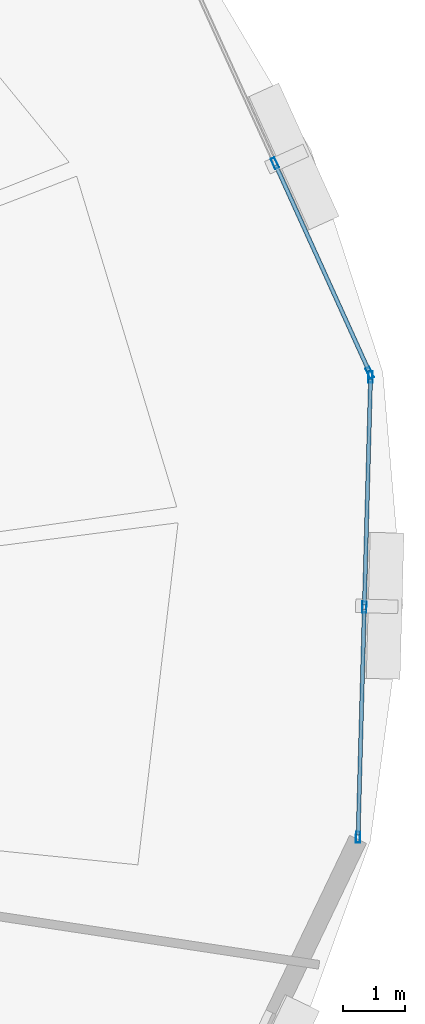
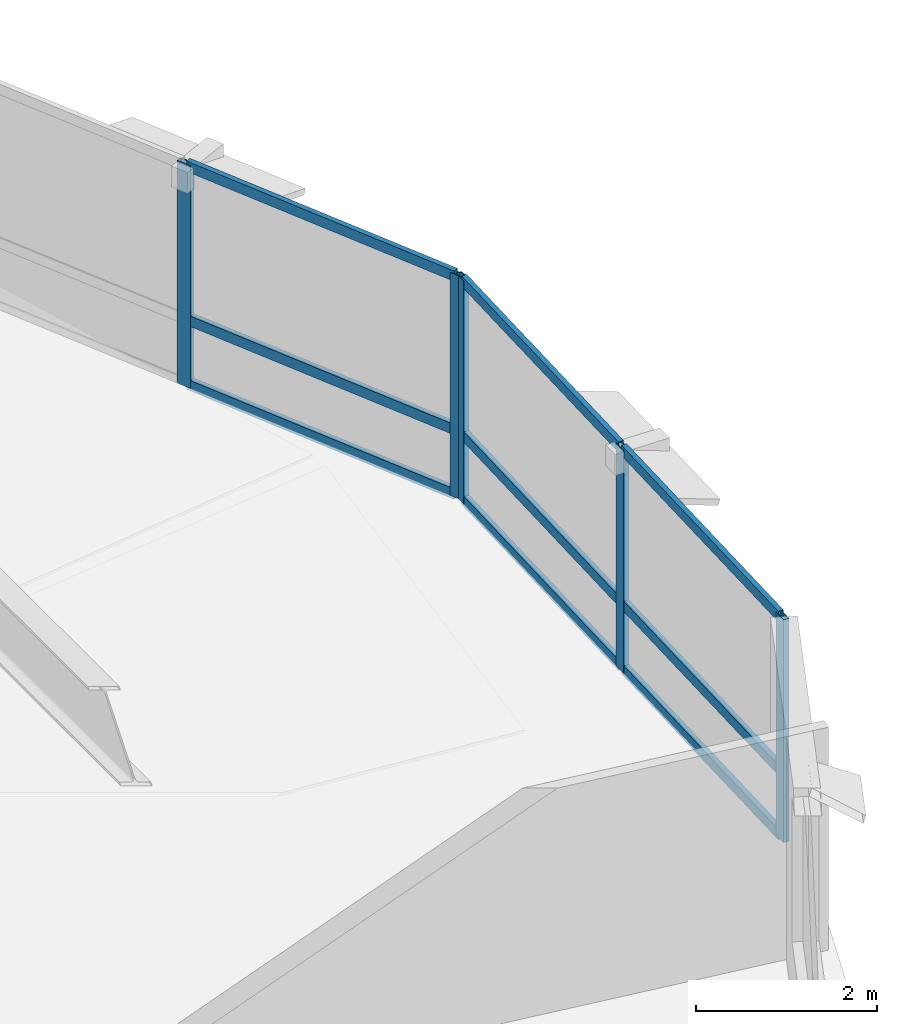
# One storey, part 8 of 17: 14 members, 2 elements without a shape of their own.
"""IFC4 building model written with IfcOpenShell, lengths in metres."""

from ifc_helpers import new_model, si_unit, direction, frame, origin, origin_2d, place, context, subcontext, project, spatial, hollow_rectangle, extrude, material, layer, layer_set, material_profile, profile_set, type_object, element, aggregate, save


model = new_model("IFC4")

# Units and contexts
model_context = context("Model", 3, precision=1e-05, world=origin(), true_north=direction((0.0, 1.0)))
body_context = subcontext(model_context, "Body", "Model", "MODEL_VIEW")
ifc_project = project(units=[si_unit("LENGTHUNIT", "METRE"), si_unit("AREAUNIT", "SQUARE_METRE"), si_unit("VOLUMEUNIT", "CUBIC_METRE"), si_unit("PLANEANGLEUNIT", "RADIAN"), si_unit("MASSUNIT", "GRAM", prefix="KILO"), si_unit("THERMODYNAMICTEMPERATUREUNIT", "KELVIN"), si_unit("POWERUNIT", "WATT")], contexts=[model_context])

# Site, building, storey
site_placement = place(None, origin())
site = spatial("IfcSite", under=ifc_project, at=site_placement, CompositionType="ELEMENT")
building_placement = place(site_placement, origin())
building = spatial("IfcBuilding", under=site, at=building_placement, Name="Ocrelia Relay Tower", CompositionType="ELEMENT")
storey_placement = place(building_placement, frame((0.0, 0.0, 80.39990234375)))
storey = spatial("IfcBuildingStorey", under=building, at=storey_placement, Name="L18", CompositionType="ELEMENT", Elevation=80.39990234375)

# Curtain wall, members
ifc_material_1 = material(Name="Aluminium and solar-control low-E glass", Category="aluminium")
ifc_layer = layer(ifc_material_1, 0.179931640625, Name="Aluminium and solar-control low-E glass")
ifc_layer_set = layer_set([ifc_layer], Name="Aluminium and solar-control low-E glass")
curtain_wall_type = type_object("IfcCurtainWallType", Name="CW-SYS-Z1-DATA", PredefinedType="NOTDEFINED", material=ifc_layer_set)
curtain_wall_1_placement = place(storey_placement, origin())
curtain_wall_1 = element("IfcCurtainWall", 1, at=curtain_wall_1_placement, inside=storey, type_object=curtain_wall_type, Name="L18 Elliptical Tower Curtain Wall Bay 01", PredefinedType="NOTDEFINED")
ifc_material_2 = material(Name="Anodised bronze aluminium", Category="aluminium")
ifc_material_profile_1 = material_profile(ifc_material_2, hollow_rectangle(XDim=0.070068359375, YDim=0.179931640625, WallThickness=0.006103515625, at=origin_2d()), Name="CW-MUL-180x70")
ifc_profile_set_1 = profile_set([ifc_material_profile_1], Name="Anodised bronze aluminium")
member_type_1 = type_object("IfcMemberType", Name="CW-SYS-Z1-DATA-MUL", PredefinedType="MULLION", material=ifc_profile_set_1)
member_1_placement = place(storey_placement, frame((61.237060546875, 31.52685546875, 0.0), z_axis=(0.0, 0.0, 1.0), x_axis=(-0.910970682589, -0.41247110864, 0.0)))
member_1 = element("IfcMember", 2, at=member_1_placement, type_object=member_type_1, Name="CW-Z1 mullion 1", PredefinedType="MULLION", context=body_context, shape_type="SweptSolid", body=[
    extrude(hollow_rectangle(XDim=0.070068359375, YDim=0.179931640625, WallThickness=0.006103515625, at=origin_2d()), origin(), (0.0, 0.0, 1.0), 3.0),
])
member_2_placement = place(storey_placement, frame((59.709716796875, 34.89990234375, 0.0), z_axis=(0.0, 0.0, 1.0), x_axis=(-0.910970682589, -0.41247110864, 0.0)))
member_2 = element("IfcMember", 3, at=member_2_placement, type_object=member_type_1, Name="CW-Z1 mullion 2", PredefinedType="MULLION", context=body_context, shape_type="SweptSolid", body=[
    extrude(hollow_rectangle(XDim=0.070068359375, YDim=0.179931640625, WallThickness=0.006103515625, at=origin_2d()), origin(), (0.0, 0.0, 1.0), 3.0),
])

curtain_wall_2_placement = place(storey_placement, origin())
curtain_wall_2 = element("IfcCurtainWall", 4, at=curtain_wall_2_placement, inside=storey, type_object=curtain_wall_type, Name="L18 Elliptical Tower Curtain Wall Bay 18", PredefinedType="NOTDEFINED")
member_3_placement = place(storey_placement, frame((61.049072265625, 24.05712890625, 0.0), z_axis=(0.0, 0.0, 1.0), x_axis=(-0.999629402691, 0.027222367212, 0.0)))
member_3 = element("IfcMember", 5, at=member_3_placement, type_object=member_type_1, Name="CW-Z1 mullion 1", PredefinedType="MULLION", context=body_context, shape_type="SweptSolid", body=[
    extrude(hollow_rectangle(XDim=0.070068359375, YDim=0.179931640625, WallThickness=0.006103515625, at=origin_2d()), origin(), (0.0, 0.0, 1.0), 3.0),
])
member_4_placement = place(storey_placement, frame((61.149658203125, 27.758544921875, 0.0), z_axis=(0.0, 0.0, 1.0), x_axis=(-0.999629402691, 0.027222367212, 0.0)))
member_4 = element("IfcMember", 6, at=member_4_placement, type_object=member_type_1, Name="CW-Z1 mullion 2", PredefinedType="MULLION", context=body_context, shape_type="SweptSolid", body=[
    extrude(hollow_rectangle(XDim=0.070068359375, YDim=0.179931640625, WallThickness=0.006103515625, at=origin_2d()), origin(), (0.0, 0.0, 1.0), 3.0),
])
member_5_placement = place(storey_placement, frame((61.25048828125, 31.4599609375, 0.0), z_axis=(0.0, 0.0, 1.0), x_axis=(-0.999629402691, 0.027222367212, 0.0)))
member_5 = element("IfcMember", 7, at=member_5_placement, type_object=member_type_1, Name="CW-Z1 mullion 3", PredefinedType="MULLION", context=body_context, shape_type="SweptSolid", body=[
    extrude(hollow_rectangle(XDim=0.070068359375, YDim=0.179931640625, WallThickness=0.006103515625, at=origin_2d()), origin(), (0.0, 0.0, 1.0), 3.0),
])

# Member
ifc_material_profile_2 = material_profile(ifc_material_2, hollow_rectangle(XDim=0.06494140625, YDim=0.139892578125, WallThickness=0.0048828125, at=origin_2d()), Name="CW-TRN-140x65")
ifc_profile_set_2 = profile_set([ifc_material_profile_2], Name="Anodised bronze aluminium")
member_type_2 = type_object("IfcMemberType", Name="CW-SYS-Z1-DATA-TRN", PredefinedType="USERDEFINED", material=ifc_profile_set_2)
member_6_placement = place(storey_placement, frame((61.22265625, 31.55859375, 0.03271484375), z_axis=(-0.412501239847, 0.910957039121, 0.0), x_axis=(-0.910957039121, -0.412501239847, 0.0)))
member_6 = element("IfcMember", 8, at=member_6_placement, type_object=member_type_2, Name="CW-Z1 transom 1.1", ObjectType="TRANSOM", PredefinedType="USERDEFINED", context=body_context, shape_type="SweptSolid", body=[
    extrude(hollow_rectangle(XDim=0.06494140625, YDim=0.139892578125, WallThickness=0.0048828125, at=origin_2d()), origin(), (0.0, 0.0, 1.0), 3.6328125),
])

member_7_placement = place(storey_placement, frame((61.22265625, 31.55859375, 0.900146484375), z_axis=(-0.412501239847, 0.910957039121, 0.0), x_axis=(-0.910957039121, -0.412501239847, 0.0)))
member_7 = element("IfcMember", 9, at=member_7_placement, type_object=member_type_2, Name="CW-Z1 transom 1.2", ObjectType="TRANSOM", PredefinedType="USERDEFINED", context=body_context, shape_type="SweptSolid", body=[
    extrude(hollow_rectangle(XDim=0.06494140625, YDim=0.139892578125, WallThickness=0.0048828125, at=origin_2d()), origin(), (0.0, 0.0, 1.0), 3.6328125),
])

member_8_placement = place(storey_placement, frame((61.22265625, 31.55859375, 2.967529296875), z_axis=(-0.412501239847, 0.910957039121, 0.0), x_axis=(-0.910957039121, -0.412501239847, 0.0)))
member_8 = element("IfcMember", 10, at=member_8_placement, type_object=member_type_2, Name="CW-Z1 transom 1.3", ObjectType="TRANSOM", PredefinedType="USERDEFINED", context=body_context, shape_type="SweptSolid", body=[
    extrude(hollow_rectangle(XDim=0.06494140625, YDim=0.139892578125, WallThickness=0.0048828125, at=origin_2d()), origin(), (0.0, 0.0, 1.0), 3.6328125),
])

aggregate(curtain_wall_1, [member_1, member_2, member_6, member_7, member_8])

member_9_placement = place(storey_placement, frame((61.0498046875, 24.09228515625, 0.03271484375), z_axis=(0.027218633136, 0.999629504372, 0.0), x_axis=(-0.999629504372, 0.027218633136, 0.0)))
member_9 = element("IfcMember", 11, at=member_9_placement, type_object=member_type_2, Name="CW-Z1 transom 1.1", ObjectType="TRANSOM", PredefinedType="USERDEFINED", context=body_context, shape_type="SweptSolid", body=[
    extrude(hollow_rectangle(XDim=0.06494140625, YDim=0.139892578125, WallThickness=0.0048828125, at=origin_2d()), origin(), (0.0, 0.0, 1.0), 3.6328125),
])

member_10_placement = place(storey_placement, frame((61.0498046875, 24.09228515625, 0.900146484375), z_axis=(0.027218633136, 0.999629504372, 0.0), x_axis=(-0.999629504372, 0.027218633136, 0.0)))
member_10 = element("IfcMember", 12, at=member_10_placement, type_object=member_type_2, Name="CW-Z1 transom 1.2", ObjectType="TRANSOM", PredefinedType="USERDEFINED", context=body_context, shape_type="SweptSolid", body=[
    extrude(hollow_rectangle(XDim=0.06494140625, YDim=0.139892578125, WallThickness=0.0048828125, at=origin_2d()), origin(), (0.0, 0.0, 1.0), 3.6328125),
])

member_11_placement = place(storey_placement, frame((61.0498046875, 24.09228515625, 2.967529296875), z_axis=(0.027218633136, 0.999629504372, 0.0), x_axis=(-0.999629504372, 0.027218633136, 0.0)))
member_11 = element("IfcMember", 13, at=member_11_placement, type_object=member_type_2, Name="CW-Z1 transom 1.3", ObjectType="TRANSOM", PredefinedType="USERDEFINED", context=body_context, shape_type="SweptSolid", body=[
    extrude(hollow_rectangle(XDim=0.06494140625, YDim=0.139892578125, WallThickness=0.0048828125, at=origin_2d()), origin(), (0.0, 0.0, 1.0), 3.6328125),
])

member_12_placement = place(storey_placement, frame((61.150634765625, 27.79345703125, 0.03271484375), z_axis=(0.027218633136, 0.999629504372, 0.0), x_axis=(-0.999629504372, 0.027218633136, 0.0)))
member_12 = element("IfcMember", 14, at=member_12_placement, type_object=member_type_2, Name="CW-Z1 transom 2.1", ObjectType="TRANSOM", PredefinedType="USERDEFINED", context=body_context, shape_type="SweptSolid", body=[
    extrude(hollow_rectangle(XDim=0.06494140625, YDim=0.139892578125, WallThickness=0.0048828125, at=origin_2d()), origin(), (0.0, 0.0, 1.0), 3.6328125),
])

member_13_placement = place(storey_placement, frame((61.150634765625, 27.79345703125, 0.900146484375), z_axis=(0.027218633136, 0.999629504372, 0.0), x_axis=(-0.999629504372, 0.027218633136, 0.0)))
member_13 = element("IfcMember", 15, at=member_13_placement, type_object=member_type_2, Name="CW-Z1 transom 2.2", ObjectType="TRANSOM", PredefinedType="USERDEFINED", context=body_context, shape_type="SweptSolid", body=[
    extrude(hollow_rectangle(XDim=0.06494140625, YDim=0.139892578125, WallThickness=0.0048828125, at=origin_2d()), origin(), (0.0, 0.0, 1.0), 3.6328125),
])

member_14_placement = place(storey_placement, frame((61.150634765625, 27.79345703125, 2.967529296875), z_axis=(0.027218633136, 0.999629504372, 0.0), x_axis=(-0.999629504372, 0.027218633136, 0.0)))
member_14 = element("IfcMember", 16, at=member_14_placement, type_object=member_type_2, Name="CW-Z1 transom 2.3", ObjectType="TRANSOM", PredefinedType="USERDEFINED", context=body_context, shape_type="SweptSolid", body=[
    extrude(hollow_rectangle(XDim=0.06494140625, YDim=0.139892578125, WallThickness=0.0048828125, at=origin_2d()), origin(), (0.0, 0.0, 1.0), 3.6328125),
])

aggregate(curtain_wall_2, [member_3, member_4, member_5, member_9, member_10, member_11, member_12, member_13, member_14])

save(model, "model.ifc")
